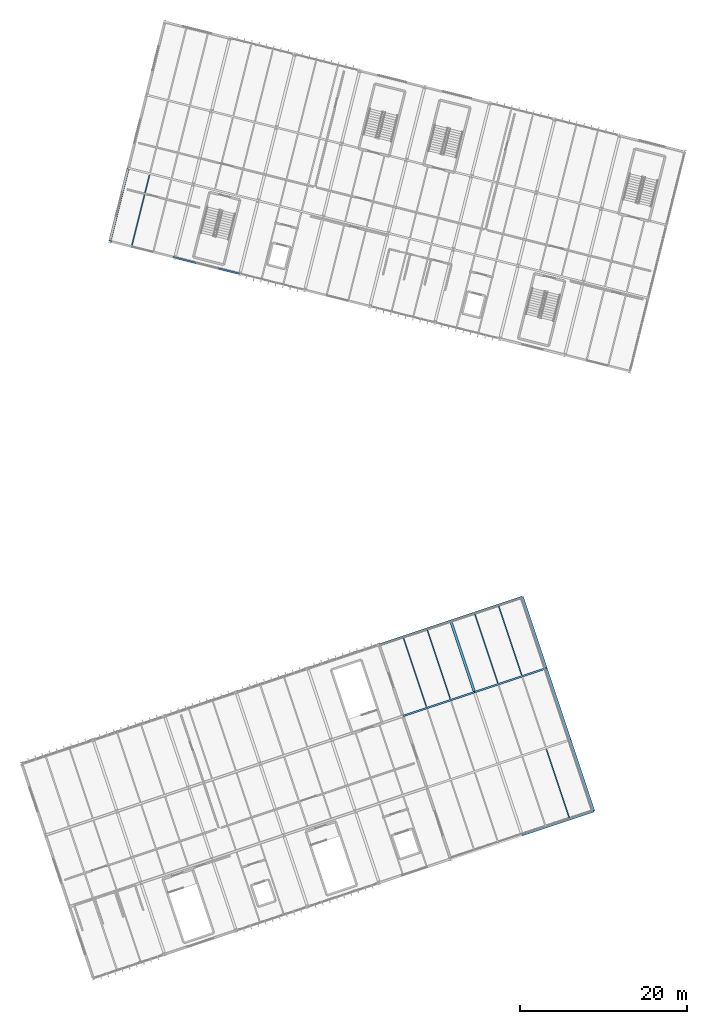
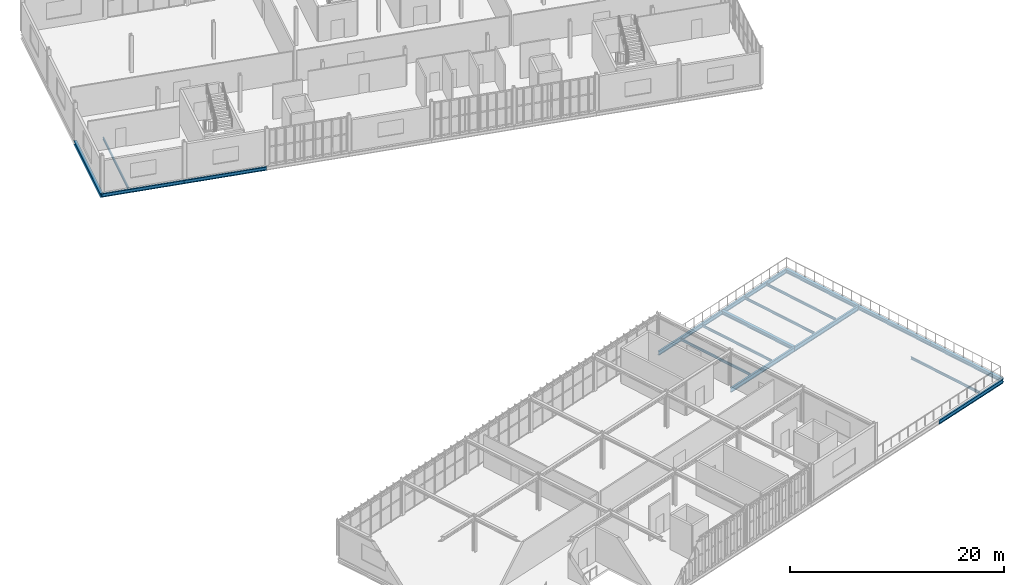
# One storey, part 22 of 61: 18 beams.
"""IFC4 building model written with IfcOpenShell, lengths in metres."""

from ifc_helpers import new_model, si_unit, derived_unit, direction, frame, origin, origin_2d, place, context, subcontext, project, spatial, i_section, extrude, material, material_profile, profile_set, type_object, element, save


model = new_model("IFC4")

# Units and contexts
model_context = context("Model", 3, precision=1e-05, world=origin(), true_north=direction((0.0, 1.0)))
body_context = subcontext(model_context, "Body", "Model", "MODEL_VIEW")
ifc_project = project(units=[si_unit("LENGTHUNIT", "METRE"), si_unit("AREAUNIT", "SQUARE_METRE"), si_unit("VOLUMEUNIT", "CUBIC_METRE"), si_unit("PLANEANGLEUNIT", "RADIAN"), si_unit("MASSUNIT", "GRAM", prefix="KILO"), si_unit("THERMODYNAMICTEMPERATUREUNIT", "KELVIN"), si_unit("TIMEUNIT", "SECOND"), derived_unit("THERMALTRANSMITTANCEUNIT", [(si_unit("MASSUNIT", "GRAM", prefix="KILO"), 1), (si_unit("THERMODYNAMICTEMPERATUREUNIT", "KELVIN"), -1), (si_unit("TIMEUNIT", "SECOND"), -3)])], contexts=[model_context])

# Site, building, storey
site_placement = place(None, origin())
site = spatial("IfcSite", under=ifc_project, at=site_placement, CompositionType="ELEMENT")
building_placement = place(site_placement, origin())
building = spatial("IfcBuilding", under=site, at=building_placement, Name="Cambertide Market Hall", CompositionType="ELEMENT")
storey_placement = place(building_placement, frame((0.0, 0.0, 9.89990234375)))
storey = spatial("IfcBuildingStorey", under=building, at=storey_placement, Name="L03", CompositionType="ELEMENT", Elevation=9.89990234375)

# Beams
ifc_material_1 = material(Name="Steel S355", Category="steel")
ifc_material_profile_1 = material_profile(ifc_material_1, i_section(OverallWidth=0.179931640625, OverallDepth=0.39990234375, WebThickness=0.008544921875, FlangeThickness=0.013427734375, FilletRadius=0.02099609375, at=origin_2d()), Name="IPE 400")
ifc_profile_set_1 = profile_set([ifc_material_profile_1], Name="Steel S355")
beam_type_1 = type_object("IfcBeamType", Name="Perimeter Spandrel Beam IPE 400", PredefinedType="SPANDREL", material=ifc_profile_set_1)
for number, where, z_axis, x_axis, name in (
    (1, (108.0, 100.0, -0.44482421875), (0.970146090314, -0.242521263911, 0.0), (0.242521263911, 0.970146090314, 0.0), "Level 3 Spandrel BM-V4U-L03-1-1"),
    (2, (115.76123046875, 98.059814453125, -0.44482421875), (0.970137114374, -0.242557167103, 0.0), (0.242557167103, 0.970137114374, 0.0), "Level 3 Spandrel BM-V4U-L03-2-1"),
):
    element("IfcBeam", number, at=place(storey_placement, frame(where, z_axis=z_axis, x_axis=x_axis)), inside=storey, type_object=beam_type_1, Name=name, PredefinedType="SPANDREL", context=body_context, shape_type="SweptSolid", body=[
        extrude(i_section(OverallWidth=0.179931640625, OverallDepth=0.39990234375, WebThickness=0.008544921875, FlangeThickness=0.013427734375, FilletRadius=0.02099609375, at=origin_2d()), origin(), (0.0, 0.0, 1.0), 8.0),
    ])
ifc_material_2 = material(Name="Steel S355", Category="steel")
ifc_material_profile_2 = material_profile(ifc_material_2, i_section(OverallWidth=0.18994140625, OverallDepth=0.449951171875, WebThickness=0.009521484375, FlangeThickness=0.0146484375, FilletRadius=0.02099609375, at=origin_2d()), Name="IPE 450")
ifc_profile_set_2 = profile_set([ifc_material_profile_2], Name="Steel S355")
beam_type_2 = type_object("IfcBeamType", Name="Perimeter Spandrel Beam IPE 450", PredefinedType="SPANDREL", material=ifc_profile_set_2)
for number, where, z_axis, x_axis, name in (
    (3, (140.152587890625, 51.8447265625, -0.5), (0.948686010717, 0.3162196279, 0.0), (-0.3162196279, 0.948686010717, 0.0), "Level 3 Spandrel BM-V3U-L03-6-4"),
    (4, (157.22900390625, 29.076416015625, -0.5), (0.948686010717, 0.3162196279, 0.0), (-0.3162196279, 0.948686010717, 0.0), "Level 3 Spandrel BM-V3U-L03-7-1"),
):
    element("IfcBeam", number, at=place(storey_placement, frame(where, z_axis=z_axis, x_axis=x_axis)), inside=storey, type_object=beam_type_2, Name=name, PredefinedType="SPANDREL", context=body_context, shape_type="SweptSolid", body=[
        extrude(i_section(OverallWidth=0.18994140625, OverallDepth=0.449951171875, WebThickness=0.009521484375, FlangeThickness=0.0146484375, FilletRadius=0.02099609375, at=origin_2d()), origin(), (0.0, 0.0, 1.0), 9.0),
    ])
beam_1_placement = place(storey_placement, frame((148.690673828125, 54.690673828125, -0.5), z_axis=(0.948680585407, 0.316235903831, 0.0), x_axis=(-0.316235903831, 0.948680585407, 0.0)))
element("IfcBeam", 5, at=beam_1_placement, inside=storey, type_object=beam_type_2, Name="Level 3 Spandrel BM-V3U-L03-7-4", PredefinedType="SPANDREL", context=body_context, shape_type="SweptSolid", body=[
    extrude(i_section(OverallWidth=0.18994140625, OverallDepth=0.449951171875, WebThickness=0.009521484375, FlangeThickness=0.0146484375, FilletRadius=0.02099609375, at=origin_2d()), origin(), (0.0, 0.0, 1.0), 9.000244140625),
])
ifc_material_3 = material(Name="Steel S355", Category="steel")
ifc_material_profile_3 = material_profile(ifc_material_3, i_section(OverallWidth=0.300048828125, OverallDepth=0.39990234375, WebThickness=0.013427734375, FlangeThickness=0.02392578125, FilletRadius=0.027099609375, at=origin_2d()), Name="HEB 400")
ifc_profile_set_3 = profile_set([ifc_material_profile_3], Name="Steel S355")
beam_type_3 = type_object("IfcBeamType", Name="Steel Girder HEB 400", PredefinedType="BEAM", material=ifc_profile_set_3)
for number, where, z_axis, x_axis, name in (
    (6, (151.536865234375, 46.152587890625, -0.474853515625), (-0.31624404204, 0.948677872554, 0.0), (-0.948677872554, -0.31624404204, 0.0), "Level 3 Beam BM-V3V-L03-7-3"),
    (7, (165.76708984375, 31.92236328125, -0.474853515625), (-0.31624404204, 0.948677872554, 0.0), (-0.948677872554, -0.31624404204, 0.0), "Level 3 Beam BM-V3V-L03-8-1"),
    (8, (162.9208984375, 40.46044921875, -0.474853515625), (-0.3162196279, 0.948686010717, 0.0), (-0.948686010717, -0.3162196279, 0.0), "Level 3 Beam BM-V3V-L03-8-2"),
):
    element("IfcBeam", number, at=place(storey_placement, frame(where, z_axis=z_axis, x_axis=x_axis)), inside=storey, type_object=beam_type_3, Name=name, PredefinedType="BEAM", context=body_context, shape_type="SweptSolid", body=[
        extrude(i_section(OverallWidth=0.300048828125, OverallDepth=0.39990234375, WebThickness=0.013427734375, FlangeThickness=0.02392578125, FilletRadius=0.027099609375, at=origin_2d()), origin(), (0.0, 0.0, 1.0), 9.0),
    ])
beam_2_placement = place(storey_placement, frame((160.074951171875, 48.99853515625, -0.474853515625), z_axis=(-0.316211490179, 0.948688723175, 0.0), x_axis=(-0.948688723175, -0.316211490179, 0.0)))
element("IfcBeam", 9, at=beam_2_placement, inside=storey, type_object=beam_type_3, Name="Level 3 Beam BM-V3V-L03-8-3", PredefinedType="BEAM", context=body_context, shape_type="SweptSolid", body=[
    extrude(i_section(OverallWidth=0.300048828125, OverallDepth=0.39990234375, WebThickness=0.013427734375, FlangeThickness=0.02392578125, FilletRadius=0.027099609375, at=origin_2d()), origin(), (0.0, 0.0, 1.0), 9.000244140625),
])
ifc_material_4 = material(Name="Steel S355", Category="steel")
ifc_material_profile_4 = material_profile(ifc_material_4, i_section(OverallWidth=0.300048828125, OverallDepth=0.449951171875, WebThickness=0.013916015625, FlangeThickness=0.02587890625, FilletRadius=0.027099609375, at=origin_2d()), Name="HEB 450")
ifc_profile_set_4 = profile_set([ifc_material_profile_4], Name="Steel S355")
beam_type_4 = type_object("IfcBeamType", Name="Steel Girder HEB 450", PredefinedType="BEAM", material=ifc_profile_set_4)
beam_3_placement = place(storey_placement, frame((108.0, 100.0, -0.469970703125), z_axis=(0.242542007841, 0.970140904422, 0.0), x_axis=(-0.970140904422, 0.242542007841, 0.0)))
element("IfcBeam", 10, at=beam_3_placement, inside=storey, type_object=beam_type_4, Name="Level 3 Beam BM-V4V-L03-1-1", PredefinedType="BEAM", context=body_context, shape_type="SweptSolid", body=[
    extrude(i_section(OverallWidth=0.300048828125, OverallDepth=0.449951171875, WebThickness=0.013916015625, FlangeThickness=0.02587890625, FilletRadius=0.027099609375, at=origin_2d()), origin(), (0.0, 0.0, 1.0), 9.0),
])
ifc_material_5 = material(Name="Steel S355", Category="steel")
ifc_material_profile_5 = material_profile(ifc_material_5, i_section(OverallWidth=0.199951171875, OverallDepth=0.5, WebThickness=0.01025390625, FlangeThickness=0.01611328125, FilletRadius=0.02099609375, at=origin_2d()), Name="IPE 500")
ifc_profile_set_5 = profile_set([ifc_material_profile_5], Name="Steel S355")
beam_type_5 = type_object("IfcBeamType", Name="Steel Girder IPE 500", PredefinedType="BEAM", material=ifc_profile_set_5)
beam_4_placement = place(storey_placement, frame((142.99853515625, 43.306640625, -0.52490234375), z_axis=(0.948688723175, 0.316211490179, 0.0), x_axis=(-0.316211490179, 0.948688723175, 0.0)))
element("IfcBeam", 11, at=beam_4_placement, inside=storey, type_object=beam_type_5, Name="Level 3 Beam BM-V3U-L03-6-3", PredefinedType="BEAM", context=body_context, shape_type="SweptSolid", body=[
    extrude(i_section(OverallWidth=0.199951171875, OverallDepth=0.5, WebThickness=0.01025390625, FlangeThickness=0.01611328125, FilletRadius=0.02099609375, at=origin_2d()), origin(), (0.0, 0.0, 1.0), 9.000244140625),
])
beam_5_placement = place(storey_placement, frame((151.536865234375, 46.152587890625, -0.52490234375), z_axis=(0.948686010717, 0.3162196279, 0.0), x_axis=(-0.3162196279, 0.948686010717, 0.0)))
element("IfcBeam", 12, at=beam_5_placement, inside=storey, type_object=beam_type_5, Name="Level 3 Beam BM-V3U-L03-7-3", PredefinedType="BEAM", context=body_context, shape_type="SweptSolid", body=[
    extrude(i_section(OverallWidth=0.199951171875, OverallDepth=0.5, WebThickness=0.01025390625, FlangeThickness=0.01611328125, FilletRadius=0.02099609375, at=origin_2d()), origin(), (0.0, 0.0, 1.0), 9.0),
])
ifc_material_6 = material(Name="Steel S275", Category="steel")
ifc_material_profile_6 = material_profile(ifc_material_6, i_section(OverallWidth=0.135009765625, OverallDepth=0.27001953125, WebThickness=0.006591796875, FlangeThickness=0.01025390625, FilletRadius=0.014892578125, at=origin_2d()), Name="IPE 270")
ifc_profile_set_6 = profile_set([ifc_material_profile_6], Name="Steel S275")
beam_type_6 = type_object("IfcBeamType", Name="Steel Secondary Joist IPE 270", PredefinedType="JOIST", material=ifc_profile_set_6)
for number, where, z_axis, x_axis, name in (
    (13, (145.787841796875, 44.426025390625, -0.409912109375), (-0.316227766017, 0.948683298051, 0.0), (-0.948683298051, -0.316227766017, 0.0), "Level 3 Joist JS-V3-L03-6-3-1"),
    (14, (148.6337890625, 45.374755859375, -0.409912109375), (-0.316227766017, 0.948683298051, 0.0), (-0.948683298051, -0.316227766017, 0.0), "Level 3 Joist JS-V3-L03-6-3-2"),
    (15, (162.864013671875, 31.14453125, -0.409912109375), (-0.316227766017, 0.948683298051, 0.0), (-0.948683298051, -0.316227766017, 0.0), "Level 3 Joist JS-V3-L03-7-1-2"),
):
    element("IfcBeam", number, at=place(storey_placement, frame(where, z_axis=z_axis, x_axis=x_axis)), inside=storey, type_object=beam_type_6, Name=name, PredefinedType="JOIST", context=body_context, shape_type="SweptSolid", body=[
        extrude(i_section(OverallWidth=0.135009765625, OverallDepth=0.27001953125, WebThickness=0.006591796875, FlangeThickness=0.01025390625, FilletRadius=0.014892578125, at=origin_2d()), origin(), (0.0, 0.0, 1.0), 8.639892578125),
    ])
beam_6_placement = place(storey_placement, frame((154.325927734375, 47.27197265625, -0.409912109375), z_axis=(-0.316219289033, 0.94868612367, 0.0), x_axis=(-0.94868612367, -0.316219289033, 0.0)))
element("IfcBeam", 16, at=beam_6_placement, inside=storey, type_object=beam_type_6, Name="Level 3 Joist JS-V3-L03-7-3-1", PredefinedType="JOIST", context=body_context, shape_type="SweptSolid", body=[
    extrude(i_section(OverallWidth=0.135009765625, OverallDepth=0.27001953125, WebThickness=0.006591796875, FlangeThickness=0.01025390625, FilletRadius=0.014892578125, at=origin_2d()), origin(), (0.0, 0.0, 1.0), 8.64013671875),
])
beam_7_placement = place(storey_placement, frame((157.171875, 48.220703125, -0.409912109375), z_axis=(-0.316227766017, 0.948683298051, 0.0), x_axis=(-0.948683298051, -0.316227766017, 0.0)))
element("IfcBeam", 17, at=beam_7_placement, inside=storey, type_object=beam_type_6, Name="Level 3 Joist JS-V3-L03-7-3-2", PredefinedType="JOIST", context=body_context, shape_type="SweptSolid", body=[
    extrude(i_section(OverallWidth=0.135009765625, OverallDepth=0.27001953125, WebThickness=0.006591796875, FlangeThickness=0.01025390625, FilletRadius=0.014892578125, at=origin_2d()), origin(), (0.0, 0.0, 1.0), 8.639892578125),
])
beam_8_placement = place(storey_placement, frame((110.630615234375, 99.52783203125, -0.3798828125), z_axis=(0.242555570896, 0.970137513463, 0.0), x_axis=(-0.970137513463, 0.242555570896, 0.0)))
element("IfcBeam", 18, at=beam_8_placement, inside=storey, type_object=beam_type_6, Name="Level 3 Joist JS-V4-L03-1-1-1", PredefinedType="JOIST", context=body_context, shape_type="SweptSolid", body=[
    extrude(i_section(OverallWidth=0.135009765625, OverallDepth=0.27001953125, WebThickness=0.006591796875, FlangeThickness=0.01025390625, FilletRadius=0.014892578125, at=origin_2d()), origin(), (0.0, 0.0, 1.0), 8.64013671875),
])

save(model, "model.ifc")
